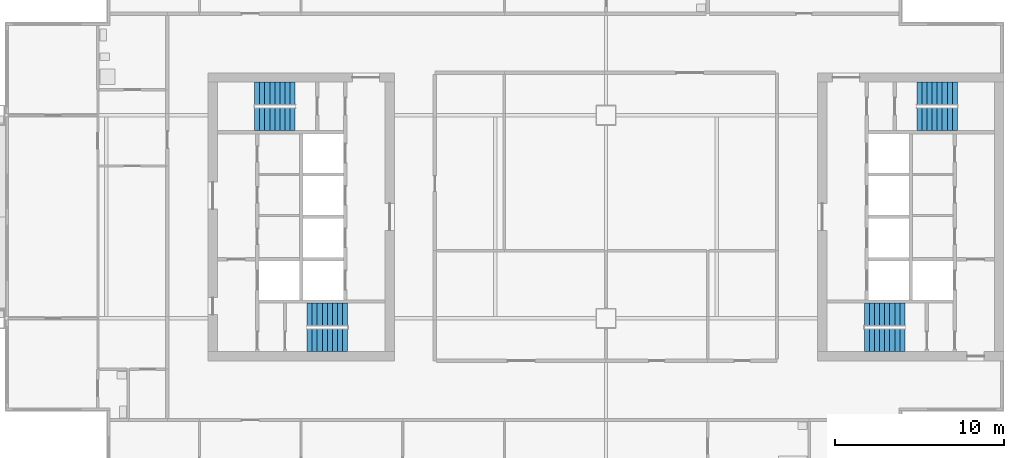
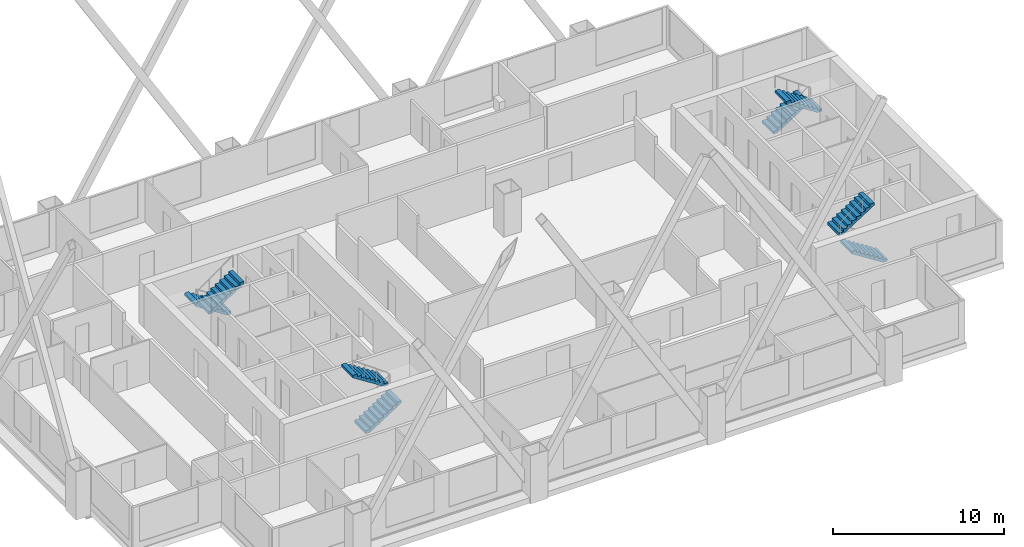
# One storey, part 7 of 9: 8 stair flights, 4 elements without a shape of their own.
"""IFC4 building model written with IfcOpenShell, lengths in metres."""

import ifcopenshell
import ifcopenshell.guid

model = None  # the IFC model being written
_history = None  # IfcOwnerHistory: only IFC2X3 demands one
_inside = {}  # id of a spatial element -> (the spatial element, [elements in it])
_under = {}  # id of a project, library or spatial element -> (it, [spatial elements below it])
_declared = {}  # id of a project -> (the project, [libraries it declares])
_typed = {}  # id of a type object -> (the type object, [elements of that type])
_made_of = {}  # id of a material, layer set ... -> (it, [elements and type objects made of it])


def new_model(schema):
    """Start an empty IFC model of exactly this schema.

    Asked for "IFC4X3", IfcOpenShell would pick the latest addendum, in which some entities
    have other attributes; the version numbers below select the first issue.
    IFC2X3 requires an IfcOwnerHistory on every rooted entity: one is made here for all.
    """
    global model, _history
    if schema == "IFC4X3":
        model = ifcopenshell.file(schema_version=(4, 3, 0, 0))
    else:
        model = ifcopenshell.file(schema=schema)
    _inside.clear()
    _under.clear()
    _declared.clear()
    _typed.clear()
    _made_of.clear()
    _history = None
    if model.schema == "IFC2X3":
        org = make("IfcOrganization", Name="unknown")
        user = make(
            "IfcPersonAndOrganization",
            ThePerson=make("IfcPerson", FamilyName="unknown"),
            TheOrganization=org,
        )
        app = make(
            "IfcApplication",
            ApplicationDeveloper=org,
            Version="unknown",
            ApplicationFullName="unknown",
            ApplicationIdentifier="unknown",
        )
        _history = make(
            "IfcOwnerHistory",
            OwningUser=user,
            OwningApplication=app,
            ChangeAction="ADDED",
            CreationDate=0,
        )
    return model


def make(cls, **values):
    """One entity of the class cls with the attributes given. An attribute that is None is left unset."""
    return model.create_entity(
        cls, **{name: value for name, value in values.items() if value is not None}
    )


def rooted(cls, **values):
    """An entity with a GlobalId (a new one), such as an element, a storey or a relation."""
    return make(cls, GlobalId=ifcopenshell.guid.new(), OwnerHistory=_history, **values)


def si_unit(unit_type, name, prefix=None):
    """IfcSIUnit, for example si_unit("LENGTHUNIT", "METRE", prefix="MILLI")."""
    return make("IfcSIUnit", UnitType=unit_type, Prefix=prefix, Name=name)


def assignment(units):
    """IfcUnitAssignment: the units of a project."""
    return None if units is None else make("IfcUnitAssignment", Units=units)


def point(xyz):
    """IfcCartesianPoint."""
    return None if xyz is None else make("IfcCartesianPoint", Coordinates=xyz)


def direction(xyz):
    """IfcDirection."""
    return None if xyz is None else make("IfcDirection", DirectionRatios=xyz)


def frame(location, z_axis=None, x_axis=None):
    """IfcAxis2Placement3D, a coordinate frame: its origin and axes. An axis left out is left unset."""
    return make(
        "IfcAxis2Placement3D",
        Location=point(location),
        Axis=direction(z_axis),
        RefDirection=direction(x_axis),
    )


def origin():
    """The frame at (0, 0, 0) with its axes left unset."""
    return frame((0.0, 0.0, 0.0))


def place(relative_to, where):
    """IfcLocalPlacement: puts the frame where relative to a parent placement (None: the world)."""
    return make(
        "IfcLocalPlacement", PlacementRelTo=relative_to, RelativePlacement=where
    )


def context(
    kind, dimensions, precision=None, world=None, true_north=None, identifier=None
):
    """IfcGeometricRepresentationContext, for example the 3D "Model" context."""
    return make(
        "IfcGeometricRepresentationContext",
        ContextIdentifier=identifier,
        ContextType=kind,
        CoordinateSpaceDimension=dimensions,
        Precision=precision,
        WorldCoordinateSystem=world,
        TrueNorth=true_north,
    )


def subcontext(parent, identifier, kind, view, scale=None):
    """IfcGeometricRepresentationSubContext, for example "Body" below "Model"."""
    return make(
        "IfcGeometricRepresentationSubContext",
        ContextIdentifier=identifier,
        ContextType=kind,
        ParentContext=parent,
        TargetScale=scale,
        TargetView=view,
    )


def project(units=None, contexts=None):
    """IfcProject with its units and contexts."""
    return rooted(
        "IfcProject",
        Name="project",
        RepresentationContexts=contexts,
        UnitsInContext=assignment(units),
    )


def spatial(cls, under=None, at=None, **own):
    """A site, building, storey or space (cls), placed at a placement, below another one or the project."""
    s = rooted(cls, ObjectPlacement=at, **own)
    if under is not None:
        _under.setdefault(under.id(), (under, []))[1].append(s)
    return s


def polyline(points):
    """IfcPolyline through the points."""
    return make("IfcPolyline", Points=[point(p) for p in points])


def outline(outer, holes=None, kind="AREA"):
    """IfcArbitraryClosedProfileDef: a profile drawn as a closed curve; with holes, ...WithVoids."""
    if holes is None:
        return make("IfcArbitraryClosedProfileDef", ProfileType=kind, OuterCurve=outer)
    return make(
        "IfcArbitraryProfileDefWithVoids",
        ProfileType=kind,
        OuterCurve=outer,
        InnerCurves=holes,
    )


def extrude(swept, where, along, depth):
    """IfcExtrudedAreaSolid: the profile swept, set in the frame where, extruded along a direction by depth."""
    return make(
        "IfcExtrudedAreaSolid",
        SweptArea=swept,
        Position=where,
        ExtrudedDirection=direction(along),
        Depth=depth,
    )


def shape(context_of_items, identifier, shape_type, items):
    """IfcShapeRepresentation: the items that make up one representation, for example the "Body"."""
    return make(
        "IfcShapeRepresentation",
        ContextOfItems=context_of_items,
        RepresentationIdentifier=identifier,
        RepresentationType=shape_type,
        Items=items,
    )


def material(Name=None, Category=None):
    """IfcMaterial."""
    return make("IfcMaterial", Name=Name, Category=Category)


def made_of(thing, what):
    """Note that an element or type object is made of a material, layer set ...; save() writes the relation."""
    if what is not None:
        _made_of.setdefault(what.id(), (what, []))[1].append(thing)
    return thing


def type_object(cls, material=None, **own):
    """A type object (cls), such as IfcWallType, which elements share."""
    return made_of(rooted(cls, **own), material)


def element(
    cls,
    number,
    at=None,
    inside=None,
    cuts=None,
    type_object=None,
    material=None,
    context=None,
    identifier="Body",
    shape_type=None,
    held_by="IfcProductDefinitionShape",
    body=None,
    shapes=None,
    **own,
):
    """One element of the class cls, such as IfcWall. Its Tag is "e" and its number.

    at: its placement. inside: the storey or other place that contains it. cuts: it is an
    opening in that element (IfcRelVoidsElement). A single representation is given by context,
    identifier, shape_type and body (its items); several are given by shapes. held_by: the class
    of the entity that holds the representations. save() writes the other relations.
    """
    e = rooted(cls, Tag="e%d" % number, ObjectPlacement=at, **own)
    if body is not None:
        shapes = [shape(context, identifier, shape_type, body)]
    if shapes is not None:
        e.Representation = make(held_by, Representations=shapes)
    if inside is not None:
        _inside.setdefault(inside.id(), (inside, []))[1].append(e)
    if cuts is not None:
        rooted(
            "IfcRelVoidsElement", RelatingBuildingElement=cuts, RelatedOpeningElement=e
        )
    if type_object is not None:
        _typed.setdefault(type_object.id(), (type_object, []))[1].append(e)
    return made_of(e, material)


def aggregate(whole, parts):
    """IfcRelAggregates: a whole, such as a stair, and the parts it consists of."""
    return rooted("IfcRelAggregates", RelatingObject=whole, RelatedObjects=parts)


def save(model, path):
    """Write the relations noted so far, then the file.

    IfcRelAggregates (storeys below a building ...), IfcRelContainedInSpatialStructure (elements
    in a storey), IfcRelDefinesByType, IfcRelAssociatesMaterial and IfcRelDeclares: one each for
    every whole, place, type object, material and project.
    """
    for whole, parts in _under.values():
        aggregate(whole, parts)
    for where, things in _inside.values():
        rooted(
            "IfcRelContainedInSpatialStructure",
            RelatedElements=things,
            RelatingStructure=where,
        )
    for kind, things in _typed.values():
        rooted("IfcRelDefinesByType", RelatedObjects=things, RelatingType=kind)
    for what, things in _made_of.values():
        rooted("IfcRelAssociatesMaterial", RelatedObjects=things, RelatingMaterial=what)
    for by, libraries in _declared.values():
        rooted("IfcRelDeclares", RelatingContext=by, RelatedDefinitions=libraries)
    model.write(path)


model = new_model("IFC4")

# Units and contexts
model_context = context("Model", 3, precision=1e-05, world=origin(), true_north=direction((0.0, 1.0)))
body_context = subcontext(model_context, "Body", "Model", "MODEL_VIEW")
ifc_project = project(units=[si_unit("LENGTHUNIT", "METRE"), si_unit("AREAUNIT", "SQUARE_METRE"), si_unit("VOLUMEUNIT", "CUBIC_METRE"), si_unit("PLANEANGLEUNIT", "RADIAN"), si_unit("MASSUNIT", "GRAM", prefix="KILO")], contexts=[model_context])

# Site, building, storey
site_placement = place(None, origin())
site = spatial("IfcSite", under=ifc_project, at=site_placement, CompositionType="ELEMENT")
building_placement = place(site_placement, origin())
building = spatial("IfcBuilding", under=site, at=building_placement, Name="Kitamizu Gate Tower and Museum", CompositionType="ELEMENT")
storey_placement = place(building_placement, frame((0.0, 0.0, 192.75)))
storey = spatial("IfcBuildingStorey", under=building, at=storey_placement, Name="L51", CompositionType="ELEMENT", Elevation=192.75)

# Stair, stair flights
ifc_material_1 = material(Name="Concrete Fc42", Category="concrete")
stair_type = type_object("IfcStairType", Name="Exit stair 1325 wide 192 rise 300 going", PredefinedType="HALF_TURN_STAIR", material=ifc_material_1)
stair_1_placement = place(storey_placement, origin())
stair_1 = element("IfcStair", 1, at=stair_1_placement, inside=storey, type_object=stair_type, Name="Exit stair ST1", PredefinedType="HALF_TURN_STAIR")
ifc_material_2 = material(Name="Concrete Fc42", Category="concrete")
stair_flight_type = type_object("IfcStairFlightType", Name="Stair flight 1325 wide 192 rise 300 going", PredefinedType="STRAIGHT", material=ifc_material_2)
stair_flight_1_placement = place(storey_placement, frame((18.35009765625, 22.71240234375, 0.0), z_axis=(0.0, 0.0, 1.0), x_axis=(1.0, 0.0, 0.0)))
stair_flight_1 = element("IfcStairFlight", 2, at=stair_flight_1_placement, type_object=stair_flight_type, Name="ST1 flight 1", NumberOfRisers=9, NumberOfTreads=8, PredefinedType="STRAIGHT", RiserHeight=0.191666667, TreadLength=0.3, context=body_context, shape_type="SweptSolid", body=[
    extrude(outline(polyline([(0.0, 0.0), (0.0, 0.191650390625), (0.300048828125, 0.191650390625), (0.300048828125, 0.38330078125), (0.60009765625, 0.38330078125), (0.60009765625, 0.574951171875), (0.89990234375, 0.574951171875), (0.89990234375, 0.7666015625), (1.199951171875, 0.7666015625), (1.199951171875, 0.958251953125), (1.5, 0.958251953125), (1.5, 1.14990234375), (1.800048828125, 1.14990234375), (1.800048828125, 1.341552734375), (2.10009765625, 1.341552734375), (2.10009765625, 1.533447265625), (2.39990234375, 1.533447265625), (2.39990234375, 1.72509765625), (2.39990234375, 1.35546875), (0.2783203125, 0.0), (0.0, 0.0)])), frame((0.0, 0.66259765625, 0.0), z_axis=(0.0, -1.0, 0.0), x_axis=(1.0, 0.0, 0.0)), (0.0, 0.0, 1.0), 1.324951171875),
])
stair_flight_2_placement = place(storey_placement, frame((20.75, 24.237548828125, 1.72509765625), z_axis=(0.0, 0.0, 1.0), x_axis=(-1.0, 0.0, 0.0)))
stair_flight_2 = element("IfcStairFlight", 3, at=stair_flight_2_placement, type_object=stair_flight_type, Name="ST1 flight 2", NumberOfRisers=9, NumberOfTreads=8, PredefinedType="STRAIGHT", RiserHeight=0.191666667, TreadLength=0.3, context=body_context, shape_type="SweptSolid", body=[
    extrude(outline(polyline([(0.0, 0.0), (0.0, 0.191650390625), (0.300048828125, 0.191650390625), (0.300048828125, 0.38330078125), (0.60009765625, 0.38330078125), (0.60009765625, 0.574951171875), (0.89990234375, 0.574951171875), (0.89990234375, 0.7666015625), (1.199951171875, 0.7666015625), (1.199951171875, 0.958251953125), (1.5, 0.958251953125), (1.5, 1.14990234375), (1.800048828125, 1.14990234375), (1.800048828125, 1.341552734375), (2.10009765625, 1.341552734375), (2.10009765625, 1.533447265625), (2.39990234375, 1.533447265625), (2.39990234375, 1.72509765625), (2.39990234375, 1.35546875), (0.2783203125, 0.0), (0.0, 0.0)])), frame((0.0, 0.66259765625, 0.0), z_axis=(0.0, -1.0, 0.0), x_axis=(1.0, 0.0, 0.0)), (0.0, 0.0, 1.0), 1.324951171875),
])
aggregate(stair_1, [stair_flight_1, stair_flight_2])

stair_2_placement = place(storey_placement, origin())
stair_2 = element("IfcStair", 4, at=stair_2_placement, inside=storey, type_object=stair_type, Name="Exit stair ST2", PredefinedType="HALF_TURN_STAIR")
stair_flight_3_placement = place(storey_placement, frame((17.64990234375, 37.28759765625, 0.0), z_axis=(0.0, 0.0, 1.0), x_axis=(-1.0, 0.0, 0.0)))
stair_flight_3 = element("IfcStairFlight", 5, at=stair_flight_3_placement, type_object=stair_flight_type, Name="ST2 flight 1", NumberOfRisers=9, NumberOfTreads=8, PredefinedType="STRAIGHT", RiserHeight=0.191666667, TreadLength=0.3, context=body_context, shape_type="SweptSolid", body=[
    extrude(outline(polyline([(0.0, 0.0), (0.0, 0.191650390625), (0.300048828125, 0.191650390625), (0.300048828125, 0.38330078125), (0.60009765625, 0.38330078125), (0.60009765625, 0.574951171875), (0.89990234375, 0.574951171875), (0.89990234375, 0.7666015625), (1.199951171875, 0.7666015625), (1.199951171875, 0.958251953125), (1.5, 0.958251953125), (1.5, 1.14990234375), (1.800048828125, 1.14990234375), (1.800048828125, 1.341552734375), (2.10009765625, 1.341552734375), (2.10009765625, 1.533447265625), (2.39990234375, 1.533447265625), (2.39990234375, 1.72509765625), (2.39990234375, 1.35546875), (0.2783203125, 0.0), (0.0, 0.0)])), frame((0.0, 0.66259765625, 0.0), z_axis=(0.0, -1.0, 0.0), x_axis=(1.0, 0.0, 0.0)), (0.0, 0.0, 1.0), 1.324951171875),
])
stair_flight_4_placement = place(storey_placement, frame((15.25, 35.762451171875, 1.72509765625), z_axis=(0.0, 0.0, 1.0), x_axis=(1.0, 0.0, 0.0)))
stair_flight_4 = element("IfcStairFlight", 6, at=stair_flight_4_placement, type_object=stair_flight_type, Name="ST2 flight 2", NumberOfRisers=9, NumberOfTreads=8, PredefinedType="STRAIGHT", RiserHeight=0.191666667, TreadLength=0.3, context=body_context, shape_type="SweptSolid", body=[
    extrude(outline(polyline([(0.0, 0.0), (0.0, 0.191650390625), (0.300048828125, 0.191650390625), (0.300048828125, 0.38330078125), (0.60009765625, 0.38330078125), (0.60009765625, 0.574951171875), (0.89990234375, 0.574951171875), (0.89990234375, 0.7666015625), (1.199951171875, 0.7666015625), (1.199951171875, 0.958251953125), (1.5, 0.958251953125), (1.5, 1.14990234375), (1.800048828125, 1.14990234375), (1.800048828125, 1.341552734375), (2.10009765625, 1.341552734375), (2.10009765625, 1.533447265625), (2.39990234375, 1.533447265625), (2.39990234375, 1.72509765625), (2.39990234375, 1.35546875), (0.2783203125, 0.0), (0.0, 0.0)])), frame((0.0, 0.66259765625, 0.0), z_axis=(0.0, -1.0, 0.0), x_axis=(1.0, 0.0, 0.0)), (0.0, 0.0, 1.0), 1.324951171875),
])
aggregate(stair_2, [stair_flight_3, stair_flight_4])

stair_3_placement = place(storey_placement, origin())
stair_3 = element("IfcStair", 7, at=stair_3_placement, inside=storey, type_object=stair_type, Name="Exit stair ST3", PredefinedType="HALF_TURN_STAIR")
stair_flight_5_placement = place(storey_placement, frame((53.64990234375, 22.71240234375, 0.0), z_axis=(0.0, 0.0, 1.0), x_axis=(-1.0, 0.0, 0.0)))
stair_flight_5 = element("IfcStairFlight", 8, at=stair_flight_5_placement, type_object=stair_flight_type, Name="ST3 flight 1", NumberOfRisers=9, NumberOfTreads=8, PredefinedType="STRAIGHT", RiserHeight=0.191666667, TreadLength=0.3, context=body_context, shape_type="SweptSolid", body=[
    extrude(outline(polyline([(0.0, 0.0), (0.0, 0.191650390625), (0.300048828125, 0.191650390625), (0.300048828125, 0.38330078125), (0.60009765625, 0.38330078125), (0.60009765625, 0.574951171875), (0.89990234375, 0.574951171875), (0.89990234375, 0.7666015625), (1.199951171875, 0.7666015625), (1.199951171875, 0.958251953125), (1.5, 0.958251953125), (1.5, 1.14990234375), (1.800048828125, 1.14990234375), (1.800048828125, 1.341552734375), (2.10009765625, 1.341552734375), (2.10009765625, 1.533447265625), (2.39990234375, 1.533447265625), (2.39990234375, 1.72509765625), (2.39990234375, 1.35546875), (0.2783203125, 0.0), (0.0, 0.0)])), frame((0.0, 0.66259765625, 0.0), z_axis=(0.0, -1.0, 0.0), x_axis=(1.0, 0.0, 0.0)), (0.0, 0.0, 1.0), 1.324951171875),
])
stair_flight_6_placement = place(storey_placement, frame((51.25, 24.237548828125, 1.72509765625), z_axis=(0.0, 0.0, 1.0), x_axis=(1.0, 0.0, 0.0)))
stair_flight_6 = element("IfcStairFlight", 9, at=stair_flight_6_placement, type_object=stair_flight_type, Name="ST3 flight 2", NumberOfRisers=9, NumberOfTreads=8, PredefinedType="STRAIGHT", RiserHeight=0.191666667, TreadLength=0.3, context=body_context, shape_type="SweptSolid", body=[
    extrude(outline(polyline([(0.0, 0.0), (0.0, 0.191650390625), (0.300048828125, 0.191650390625), (0.300048828125, 0.38330078125), (0.60009765625, 0.38330078125), (0.60009765625, 0.574951171875), (0.89990234375, 0.574951171875), (0.89990234375, 0.7666015625), (1.199951171875, 0.7666015625), (1.199951171875, 0.958251953125), (1.5, 0.958251953125), (1.5, 1.14990234375), (1.800048828125, 1.14990234375), (1.800048828125, 1.341552734375), (2.10009765625, 1.341552734375), (2.10009765625, 1.533447265625), (2.39990234375, 1.533447265625), (2.39990234375, 1.72509765625), (2.39990234375, 1.35546875), (0.2783203125, 0.0), (0.0, 0.0)])), frame((0.0, 0.66259765625, 0.0), z_axis=(0.0, -1.0, 0.0), x_axis=(1.0, 0.0, 0.0)), (0.0, 0.0, 1.0), 1.324951171875),
])
aggregate(stair_3, [stair_flight_5, stair_flight_6])

stair_4_placement = place(storey_placement, origin())
stair_4 = element("IfcStair", 10, at=stair_4_placement, inside=storey, type_object=stair_type, Name="Exit stair ST4", PredefinedType="HALF_TURN_STAIR")
stair_flight_7_placement = place(storey_placement, frame((54.35009765625, 37.28759765625, 0.0), z_axis=(0.0, 0.0, 1.0), x_axis=(1.0, 0.0, 0.0)))
stair_flight_7 = element("IfcStairFlight", 11, at=stair_flight_7_placement, type_object=stair_flight_type, Name="ST4 flight 1", NumberOfRisers=9, NumberOfTreads=8, PredefinedType="STRAIGHT", RiserHeight=0.191666667, TreadLength=0.3, context=body_context, shape_type="SweptSolid", body=[
    extrude(outline(polyline([(0.0, 0.0), (0.0, 0.191650390625), (0.300048828125, 0.191650390625), (0.300048828125, 0.38330078125), (0.60009765625, 0.38330078125), (0.60009765625, 0.574951171875), (0.89990234375, 0.574951171875), (0.89990234375, 0.7666015625), (1.199951171875, 0.7666015625), (1.199951171875, 0.958251953125), (1.5, 0.958251953125), (1.5, 1.14990234375), (1.800048828125, 1.14990234375), (1.800048828125, 1.341552734375), (2.10009765625, 1.341552734375), (2.10009765625, 1.533447265625), (2.39990234375, 1.533447265625), (2.39990234375, 1.72509765625), (2.39990234375, 1.35546875), (0.2783203125, 0.0), (0.0, 0.0)])), frame((0.0, 0.66259765625, 0.0), z_axis=(0.0, -1.0, 0.0), x_axis=(1.0, 0.0, 0.0)), (0.0, 0.0, 1.0), 1.324951171875),
])
stair_flight_8_placement = place(storey_placement, frame((56.75, 35.762451171875, 1.72509765625), z_axis=(0.0, 0.0, 1.0), x_axis=(-1.0, 0.0, 0.0)))
stair_flight_8 = element("IfcStairFlight", 12, at=stair_flight_8_placement, type_object=stair_flight_type, Name="ST4 flight 2", NumberOfRisers=9, NumberOfTreads=8, PredefinedType="STRAIGHT", RiserHeight=0.191666667, TreadLength=0.3, context=body_context, shape_type="SweptSolid", body=[
    extrude(outline(polyline([(0.0, 0.0), (0.0, 0.191650390625), (0.300048828125, 0.191650390625), (0.300048828125, 0.38330078125), (0.60009765625, 0.38330078125), (0.60009765625, 0.574951171875), (0.89990234375, 0.574951171875), (0.89990234375, 0.7666015625), (1.199951171875, 0.7666015625), (1.199951171875, 0.958251953125), (1.5, 0.958251953125), (1.5, 1.14990234375), (1.800048828125, 1.14990234375), (1.800048828125, 1.341552734375), (2.10009765625, 1.341552734375), (2.10009765625, 1.533447265625), (2.39990234375, 1.533447265625), (2.39990234375, 1.72509765625), (2.39990234375, 1.35546875), (0.2783203125, 0.0), (0.0, 0.0)])), frame((0.0, 0.66259765625, 0.0), z_axis=(0.0, -1.0, 0.0), x_axis=(1.0, 0.0, 0.0)), (0.0, 0.0, 1.0), 1.324951171875),
])
aggregate(stair_4, [stair_flight_7, stair_flight_8])

save(model, "model.ifc")
